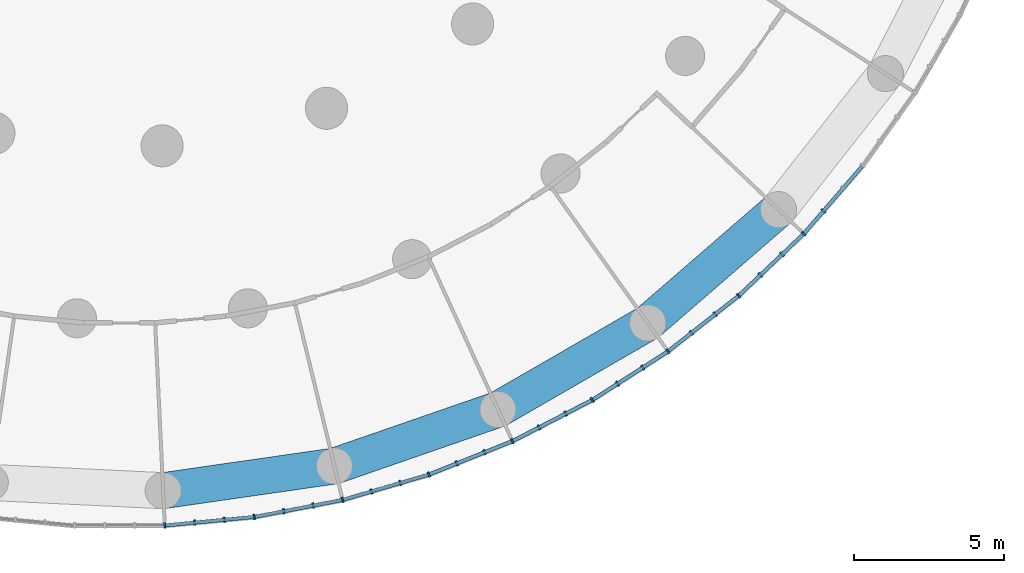
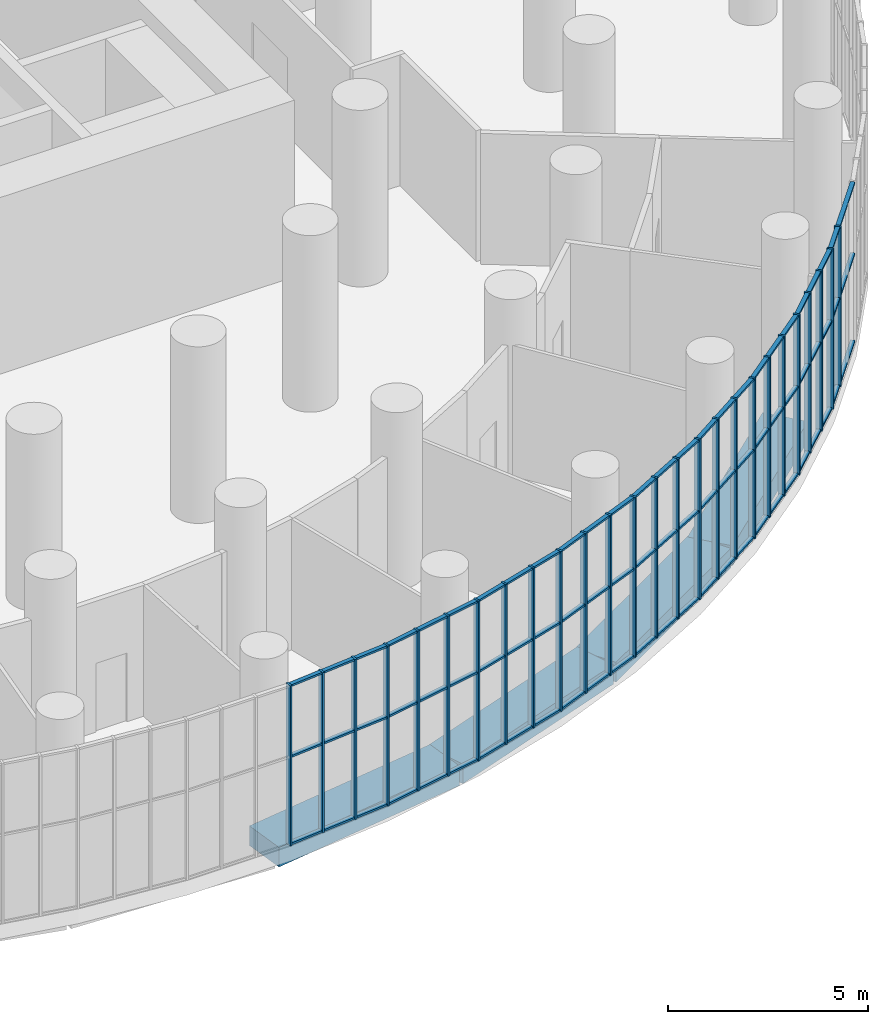
# One storey, part 5 of 27: 53 members, 4 beams, 9 elements without a shape of their own.
"""IFC4 building model written with IfcOpenShell, lengths in metres."""

import ifcopenshell
import ifcopenshell.guid

model = None  # the IFC model being written
_history = None  # IfcOwnerHistory: only IFC2X3 demands one
_inside = {}  # id of a spatial element -> (the spatial element, [elements in it])
_under = {}  # id of a project, library or spatial element -> (it, [spatial elements below it])
_declared = {}  # id of a project -> (the project, [libraries it declares])
_typed = {}  # id of a type object -> (the type object, [elements of that type])
_made_of = {}  # id of a material, layer set ... -> (it, [elements and type objects made of it])


def new_model(schema):
    """Start an empty IFC model of exactly this schema.

    Asked for "IFC4X3", IfcOpenShell would pick the latest addendum, in which some entities
    have other attributes; the version numbers below select the first issue.
    IFC2X3 requires an IfcOwnerHistory on every rooted entity: one is made here for all.
    """
    global model, _history
    if schema == "IFC4X3":
        model = ifcopenshell.file(schema_version=(4, 3, 0, 0))
    else:
        model = ifcopenshell.file(schema=schema)
    _inside.clear()
    _under.clear()
    _declared.clear()
    _typed.clear()
    _made_of.clear()
    _history = None
    if model.schema == "IFC2X3":
        org = make("IfcOrganization", Name="unknown")
        user = make(
            "IfcPersonAndOrganization",
            ThePerson=make("IfcPerson", FamilyName="unknown"),
            TheOrganization=org,
        )
        app = make(
            "IfcApplication",
            ApplicationDeveloper=org,
            Version="unknown",
            ApplicationFullName="unknown",
            ApplicationIdentifier="unknown",
        )
        _history = make(
            "IfcOwnerHistory",
            OwningUser=user,
            OwningApplication=app,
            ChangeAction="ADDED",
            CreationDate=0,
        )
    return model


def make(cls, **values):
    """One entity of the class cls with the attributes given. An attribute that is None is left unset."""
    return model.create_entity(
        cls, **{name: value for name, value in values.items() if value is not None}
    )


def rooted(cls, **values):
    """An entity with a GlobalId (a new one), such as an element, a storey or a relation."""
    return make(cls, GlobalId=ifcopenshell.guid.new(), OwnerHistory=_history, **values)


def si_unit(unit_type, name, prefix=None):
    """IfcSIUnit, for example si_unit("LENGTHUNIT", "METRE", prefix="MILLI")."""
    return make("IfcSIUnit", UnitType=unit_type, Prefix=prefix, Name=name)


def assignment(units):
    """IfcUnitAssignment: the units of a project."""
    return None if units is None else make("IfcUnitAssignment", Units=units)


def point(xyz):
    """IfcCartesianPoint."""
    return None if xyz is None else make("IfcCartesianPoint", Coordinates=xyz)


def direction(xyz):
    """IfcDirection."""
    return None if xyz is None else make("IfcDirection", DirectionRatios=xyz)


def frame(location, z_axis=None, x_axis=None):
    """IfcAxis2Placement3D, a coordinate frame: its origin and axes. An axis left out is left unset."""
    return make(
        "IfcAxis2Placement3D",
        Location=point(location),
        Axis=direction(z_axis),
        RefDirection=direction(x_axis),
    )


def frame_2d(location, x_axis=None):
    """IfcAxis2Placement2D, a coordinate frame in the plane: its origin and x axis."""
    return make(
        "IfcAxis2Placement2D", Location=point(location), RefDirection=direction(x_axis)
    )


def origin():
    """The frame at (0, 0, 0) with its axes left unset."""
    return frame((0.0, 0.0, 0.0))


def origin_2d():
    """The frame at (0, 0) in the plane with its x axis left unset."""
    return frame_2d((0.0, 0.0))


def place(relative_to, where):
    """IfcLocalPlacement: puts the frame where relative to a parent placement (None: the world)."""
    return make(
        "IfcLocalPlacement", PlacementRelTo=relative_to, RelativePlacement=where
    )


def context(
    kind, dimensions, precision=None, world=None, true_north=None, identifier=None
):
    """IfcGeometricRepresentationContext, for example the 3D "Model" context."""
    return make(
        "IfcGeometricRepresentationContext",
        ContextIdentifier=identifier,
        ContextType=kind,
        CoordinateSpaceDimension=dimensions,
        Precision=precision,
        WorldCoordinateSystem=world,
        TrueNorth=true_north,
    )


def subcontext(parent, identifier, kind, view, scale=None):
    """IfcGeometricRepresentationSubContext, for example "Body" below "Model"."""
    return make(
        "IfcGeometricRepresentationSubContext",
        ContextIdentifier=identifier,
        ContextType=kind,
        ParentContext=parent,
        TargetScale=scale,
        TargetView=view,
    )


def project(units=None, contexts=None):
    """IfcProject with its units and contexts."""
    return rooted(
        "IfcProject",
        Name="project",
        RepresentationContexts=contexts,
        UnitsInContext=assignment(units),
    )


def spatial(cls, under=None, at=None, **own):
    """A site, building, storey or space (cls), placed at a placement, below another one or the project."""
    s = rooted(cls, ObjectPlacement=at, **own)
    if under is not None:
        _under.setdefault(under.id(), (under, []))[1].append(s)
    return s


def profile(cls, at=None, kind="AREA", **sizes):
    """A parametric profile (cls). Its sizes go by their IFC names, for example OverallWidth=200.0."""
    return make(cls, ProfileType=kind, Position=at, **sizes)


def rectangle(**sizes):
    """IfcRectangleProfileDef."""
    return profile("IfcRectangleProfileDef", **sizes)


def extrude(swept, where, along, depth):
    """IfcExtrudedAreaSolid: the profile swept, set in the frame where, extruded along a direction by depth."""
    return make(
        "IfcExtrudedAreaSolid",
        SweptArea=swept,
        Position=where,
        ExtrudedDirection=direction(along),
        Depth=depth,
    )


def shape(context_of_items, identifier, shape_type, items):
    """IfcShapeRepresentation: the items that make up one representation, for example the "Body"."""
    return make(
        "IfcShapeRepresentation",
        ContextOfItems=context_of_items,
        RepresentationIdentifier=identifier,
        RepresentationType=shape_type,
        Items=items,
    )


def material(Name=None, Category=None):
    """IfcMaterial."""
    return make("IfcMaterial", Name=Name, Category=Category)


def layer(
    of_material, thickness, ventilated=None, Name=None, Category=None, Priority=None
):
    """IfcMaterialLayer: one layer of a wall or slab, of a material (None: an air gap)."""
    return make(
        "IfcMaterialLayer",
        Material=of_material,
        LayerThickness=thickness,
        IsVentilated=ventilated,
        Name=Name,
        Category=Category,
        Priority=Priority,
    )


def layer_set(layers, Name=None):
    """IfcMaterialLayerSet."""
    return make("IfcMaterialLayerSet", MaterialLayers=layers, LayerSetName=Name)


def material_profile(
    of_material, cross_section, Name=None, Category=None, Priority=None
):
    """IfcMaterialProfile: a cross section and its material."""
    return make(
        "IfcMaterialProfile",
        Name=Name,
        Material=of_material,
        Profile=cross_section,
        Priority=Priority,
        Category=Category,
    )


def profile_set(profiles, Name=None, composite=None):
    """IfcMaterialProfileSet."""
    return make(
        "IfcMaterialProfileSet",
        Name=Name,
        MaterialProfiles=profiles,
        CompositeProfile=composite,
    )


def made_of(thing, what):
    """Note that an element or type object is made of a material, layer set ...; save() writes the relation."""
    if what is not None:
        _made_of.setdefault(what.id(), (what, []))[1].append(thing)
    return thing


def type_object(cls, material=None, **own):
    """A type object (cls), such as IfcWallType, which elements share."""
    return made_of(rooted(cls, **own), material)


def element(
    cls,
    number,
    at=None,
    inside=None,
    cuts=None,
    type_object=None,
    material=None,
    context=None,
    identifier="Body",
    shape_type=None,
    held_by="IfcProductDefinitionShape",
    body=None,
    shapes=None,
    **own,
):
    """One element of the class cls, such as IfcWall. Its Tag is "e" and its number.

    at: its placement. inside: the storey or other place that contains it. cuts: it is an
    opening in that element (IfcRelVoidsElement). A single representation is given by context,
    identifier, shape_type and body (its items); several are given by shapes. held_by: the class
    of the entity that holds the representations. save() writes the other relations.
    """
    e = rooted(cls, Tag="e%d" % number, ObjectPlacement=at, **own)
    if body is not None:
        shapes = [shape(context, identifier, shape_type, body)]
    if shapes is not None:
        e.Representation = make(held_by, Representations=shapes)
    if inside is not None:
        _inside.setdefault(inside.id(), (inside, []))[1].append(e)
    if cuts is not None:
        rooted(
            "IfcRelVoidsElement", RelatingBuildingElement=cuts, RelatedOpeningElement=e
        )
    if type_object is not None:
        _typed.setdefault(type_object.id(), (type_object, []))[1].append(e)
    return made_of(e, material)


def aggregate(whole, parts):
    """IfcRelAggregates: a whole, such as a stair, and the parts it consists of."""
    return rooted("IfcRelAggregates", RelatingObject=whole, RelatedObjects=parts)


def save(model, path):
    """Write the relations noted so far, then the file.

    IfcRelAggregates (storeys below a building ...), IfcRelContainedInSpatialStructure (elements
    in a storey), IfcRelDefinesByType, IfcRelAssociatesMaterial and IfcRelDeclares: one each for
    every whole, place, type object, material and project.
    """
    for whole, parts in _under.values():
        aggregate(whole, parts)
    for where, things in _inside.values():
        rooted(
            "IfcRelContainedInSpatialStructure",
            RelatedElements=things,
            RelatingStructure=where,
        )
    for kind, things in _typed.values():
        rooted("IfcRelDefinesByType", RelatedObjects=things, RelatingType=kind)
    for what, things in _made_of.values():
        rooted("IfcRelAssociatesMaterial", RelatedObjects=things, RelatingMaterial=what)
    for by, libraries in _declared.values():
        rooted("IfcRelDeclares", RelatingContext=by, RelatedDefinitions=libraries)
    model.write(path)


model = new_model("IFC4")

# Units and contexts
model_context = context("Model", 3, precision=1e-05, world=origin(), true_north=direction((0.0, 1.0)))
body_context = subcontext(model_context, "Body", "Model", "MODEL_VIEW")
ifc_project = project(units=[si_unit("LENGTHUNIT", "METRE"), si_unit("AREAUNIT", "SQUARE_METRE"), si_unit("VOLUMEUNIT", "CUBIC_METRE"), si_unit("PLANEANGLEUNIT", "RADIAN"), si_unit("MASSUNIT", "GRAM", prefix="KILO")], contexts=[model_context])

# Site, building, storey
site_placement = place(None, origin())
site = spatial("IfcSite", under=ifc_project, at=site_placement, CompositionType="ELEMENT")
building_placement = place(site_placement, origin())
building = spatial("IfcBuilding", under=site, at=building_placement, Name="Tracery Tower", CompositionType="ELEMENT")
storey_placement = place(building_placement, frame((0.0, 0.0, 114.60009765625)))
storey = spatial("IfcBuildingStorey", under=building, at=storey_placement, Name="L29", CompositionType="ELEMENT", Elevation=114.60009765625)

# Beams
ifc_material_1 = material(Name="Concrete C60/75", Category="concrete")
ifc_material_profile_1 = material_profile(ifc_material_1, rectangle(XDim=1.199951171875, YDim=0.60009765625, at=origin_2d()), Name="RC 1200x600")
ifc_profile_set_1 = profile_set([ifc_material_profile_1], Name="Concrete C60/75")
beam_type = type_object("IfcBeamType", Name="Perimeter band beam 1200x600", PredefinedType="BEAM", material=ifc_profile_set_1)
beam_1_placement = place(storey_placement, frame((1.4404296875, -30.240234375, -0.75), z_axis=(0.989821839174, 0.142312075013, 0.0), x_axis=(-0.142312075013, 0.989821839174, 0.0)))
element("IfcBeam", 1, at=beam_1_placement, inside=storey, type_object=beam_type, Name="Perimeter beam 0.25 under L29", PredefinedType="BEAM", context=body_context, shape_type="SweptSolid", body=[
    extrude(rectangle(XDim=1.199951171875, YDim=0.60009765625, at=origin_2d()), origin(), (0.0, 0.0, 1.0), 5.755615234375),
])
beam_2_placement = place(storey_placement, frame((7.137451171875, -29.421142578125, -0.75), z_axis=(0.945007252869, 0.327049372458, 0.0), x_axis=(-0.327049372458, 0.945007252869, 0.0)))
element("IfcBeam", 2, at=beam_2_placement, inside=storey, type_object=beam_type, Name="Perimeter beam 0.26 under L29", PredefinedType="BEAM", context=body_context, shape_type="SweptSolid", body=[
    extrude(rectangle(XDim=1.199951171875, YDim=0.60009765625, at=origin_2d()), origin(), (0.0, 0.0, 1.0), 5.75537109375),
])
beam_3_placement = place(storey_placement, frame((12.576416015625, -27.538818359375, -0.75), z_axis=(0.866021003874, 0.50000762079, 0.0), x_axis=(-0.50000762079, 0.866021003874, 0.0)))
element("IfcBeam", 3, at=beam_3_placement, inside=storey, type_object=beam_type, Name="Perimeter beam 0.27 under L29", PredefinedType="BEAM", context=body_context, shape_type="SweptSolid", body=[
    extrude(rectangle(XDim=1.199951171875, YDim=0.60009765625, at=origin_2d()), origin(), (0.0, 0.0, 1.0), 5.755859375),
])
beam_4_placement = place(storey_placement, frame((17.56103515625, -24.660888671875, -0.75), z_axis=(0.755760456715, 0.65484817482, 0.0), x_axis=(-0.65484817482, 0.755760456715, 0.0)))
element("IfcBeam", 4, at=beam_4_placement, inside=storey, type_object=beam_type, Name="Perimeter beam 0.28 under L29", PredefinedType="BEAM", context=body_context, shape_type="SweptSolid", body=[
    extrude(rectangle(XDim=1.199951171875, YDim=0.60009765625, at=origin_2d()), origin(), (0.0, 0.0, 1.0), 5.755615234375),
])

# Curtain wall, members
ifc_material_2 = material(Name="Aluminium curtain wall with tinted glass", Category="aluminium")
ifc_layer = layer(ifc_material_2, 0.179931640625)
ifc_layer_set = layer_set([ifc_layer], Name="Sky lounge 1 tracery curtain wall")
curtain_wall_type = type_object("IfcCurtainWallType", Name="Sky lounge 1 tracery curtain wall", PredefinedType="NOTDEFINED", material=ifc_layer_set)
curtain_wall_1_placement = place(storey_placement, origin())
curtain_wall_1 = element("IfcCurtainWall", 5, at=curtain_wall_1_placement, inside=storey, type_object=curtain_wall_type, Name="Sky lounge 1 curtain wall run 51", PredefinedType="NOTDEFINED")
ifc_material_3 = material(Name="Aluminium, bronze anodised", Category="aluminium")
ifc_material_profile_2 = material_profile(ifc_material_3, rectangle(XDim=0.179931640625, YDim=0.06005859375, at=origin_2d()), Name="AL 60x180")
ifc_profile_set_2 = profile_set([ifc_material_profile_2], Name="Aluminium, bronze anodised")
member_type_1 = type_object("IfcMemberType", Name="Sky lounge 1 mullion 60 x 180", PredefinedType="MULLION", material=ifc_profile_set_2)
member_1_placement = place(storey_placement, frame((1.49560546875, -31.39892578125, 0.0), z_axis=(0.0, 0.0, 1.0), x_axis=(-0.095056043312, 0.995471922572, 0.0)))
member_1 = element("IfcMember", 6, at=member_1_placement, type_object=member_type_1, Name="Sky lounge 1 curtain wall run 51 mullion 1", PredefinedType="MULLION", context=body_context, shape_type="SweptSolid", body=[
    extrude(rectangle(XDim=0.179931640625, YDim=0.06005859375, at=origin_2d()), origin(), (0.0, 0.0, 1.0), 4.89990234375),
])
member_2_placement = place(storey_placement, frame((2.48828125, -31.30419921875, 0.0), z_axis=(0.0, 0.0, 1.0), x_axis=(-0.095056043312, 0.995471922572, 0.0)))
member_2 = element("IfcMember", 7, at=member_2_placement, type_object=member_type_1, Name="Sky lounge 1 curtain wall run 51 mullion 2", PredefinedType="MULLION", context=body_context, shape_type="SweptSolid", body=[
    extrude(rectangle(XDim=0.179931640625, YDim=0.06005859375, at=origin_2d()), origin(), (0.0, 0.0, 1.0), 4.89990234375),
])
member_3_placement = place(storey_placement, frame((3.48095703125, -31.209228515625, 0.0), z_axis=(0.0, 0.0, 1.0), x_axis=(-0.095056043312, 0.995471922572, 0.0)))
member_3 = element("IfcMember", 8, at=member_3_placement, type_object=member_type_1, Name="Sky lounge 1 curtain wall run 51 mullion 3", PredefinedType="MULLION", context=body_context, shape_type="SweptSolid", body=[
    extrude(rectangle(XDim=0.179931640625, YDim=0.06005859375, at=origin_2d()), origin(), (0.0, 0.0, 1.0), 4.89990234375),
])

curtain_wall_2_placement = place(storey_placement, origin())
curtain_wall_2 = element("IfcCurtainWall", 9, at=curtain_wall_2_placement, inside=storey, type_object=curtain_wall_type, Name="Sky lounge 1 curtain wall run 52", PredefinedType="NOTDEFINED")
member_4_placement = place(storey_placement, frame((4.4736328125, -31.114501953125, 0.0), z_axis=(0.0, 0.0, 1.0), x_axis=(-0.189251244359, 0.981928697263, 0.0)))
member_4 = element("IfcMember", 10, at=member_4_placement, type_object=member_type_1, Name="Sky lounge 1 curtain wall run 52 mullion 1", PredefinedType="MULLION", context=body_context, shape_type="SweptSolid", body=[
    extrude(rectangle(XDim=0.179931640625, YDim=0.06005859375, at=origin_2d()), origin(), (0.0, 0.0, 1.0), 4.89990234375),
])
member_5_placement = place(storey_placement, frame((5.45263671875, -30.92578125, 0.0), z_axis=(0.0, 0.0, 1.0), x_axis=(-0.189251244359, 0.981928697263, 0.0)))
member_5 = element("IfcMember", 11, at=member_5_placement, type_object=member_type_1, Name="Sky lounge 1 curtain wall run 52 mullion 2", PredefinedType="MULLION", context=body_context, shape_type="SweptSolid", body=[
    extrude(rectangle(XDim=0.179931640625, YDim=0.06005859375, at=origin_2d()), origin(), (0.0, 0.0, 1.0), 4.89990234375),
])
member_6_placement = place(storey_placement, frame((6.431884765625, -30.737060546875, 0.0), z_axis=(0.0, 0.0, 1.0), x_axis=(-0.189251244359, 0.981928697263, 0.0)))
member_6 = element("IfcMember", 12, at=member_6_placement, type_object=member_type_1, Name="Sky lounge 1 curtain wall run 52 mullion 3", PredefinedType="MULLION", context=body_context, shape_type="SweptSolid", body=[
    extrude(rectangle(XDim=0.179931640625, YDim=0.06005859375, at=origin_2d()), origin(), (0.0, 0.0, 1.0), 4.89990234375),
])

curtain_wall_3_placement = place(storey_placement, origin())
curtain_wall_3 = element("IfcCurtainWall", 13, at=curtain_wall_3_placement, inside=storey, type_object=curtain_wall_type, Name="Sky lounge 1 curtain wall run 53", PredefinedType="NOTDEFINED")
member_7_placement = place(storey_placement, frame((7.410888671875, -30.54833984375, 0.0), z_axis=(0.0, 0.0, 1.0), x_axis=(-0.281732556848, 0.959492973613, 0.0)))
member_7 = element("IfcMember", 14, at=member_7_placement, type_object=member_type_1, Name="Sky lounge 1 curtain wall run 53 mullion 1", PredefinedType="MULLION", context=body_context, shape_type="SweptSolid", body=[
    extrude(rectangle(XDim=0.179931640625, YDim=0.06005859375, at=origin_2d()), origin(), (0.0, 0.0, 1.0), 4.89990234375),
])
member_8_placement = place(storey_placement, frame((8.36767578125, -30.267578125, 0.0), z_axis=(0.0, 0.0, 1.0), x_axis=(-0.281732556848, 0.959492973613, 0.0)))
member_8 = element("IfcMember", 15, at=member_8_placement, type_object=member_type_1, Name="Sky lounge 1 curtain wall run 53 mullion 2", PredefinedType="MULLION", context=body_context, shape_type="SweptSolid", body=[
    extrude(rectangle(XDim=0.179931640625, YDim=0.06005859375, at=origin_2d()), origin(), (0.0, 0.0, 1.0), 4.89990234375),
])
member_9_placement = place(storey_placement, frame((9.324462890625, -29.986572265625, 0.0), z_axis=(0.0, 0.0, 1.0), x_axis=(-0.281732556848, 0.959492973613, 0.0)))
member_9 = element("IfcMember", 16, at=member_9_placement, type_object=member_type_1, Name="Sky lounge 1 curtain wall run 53 mullion 3", PredefinedType="MULLION", context=body_context, shape_type="SweptSolid", body=[
    extrude(rectangle(XDim=0.179931640625, YDim=0.06005859375, at=origin_2d()), origin(), (0.0, 0.0, 1.0), 4.89990234375),
])

curtain_wall_4_placement = place(storey_placement, origin())
curtain_wall_4 = element("IfcCurtainWall", 17, at=curtain_wall_4_placement, inside=storey, type_object=curtain_wall_type, Name="Sky lounge 1 curtain wall run 54", PredefinedType="NOTDEFINED")
member_10_placement = place(storey_placement, frame((10.28125, -29.70556640625, 0.0), z_axis=(0.0, 0.0, 1.0), x_axis=(-0.371662455657, 0.928367933017, 0.0)))
member_10 = element("IfcMember", 18, at=member_10_placement, type_object=member_type_1, Name="Sky lounge 1 curtain wall run 54 mullion 1", PredefinedType="MULLION", context=body_context, shape_type="SweptSolid", body=[
    extrude(rectangle(XDim=0.179931640625, YDim=0.06005859375, at=origin_2d()), origin(), (0.0, 0.0, 1.0), 4.89990234375),
])
member_11_placement = place(storey_placement, frame((11.20703125, -29.3349609375, 0.0), z_axis=(0.0, 0.0, 1.0), x_axis=(-0.371662455657, 0.928367933017, 0.0)))
member_11 = element("IfcMember", 19, at=member_11_placement, type_object=member_type_1, Name="Sky lounge 1 curtain wall run 54 mullion 2", PredefinedType="MULLION", context=body_context, shape_type="SweptSolid", body=[
    extrude(rectangle(XDim=0.179931640625, YDim=0.06005859375, at=origin_2d()), origin(), (0.0, 0.0, 1.0), 4.89990234375),
])
member_12_placement = place(storey_placement, frame((12.132568359375, -28.96435546875, 0.0), z_axis=(0.0, 0.0, 1.0), x_axis=(-0.371662455657, 0.928367933017, 0.0)))
member_12 = element("IfcMember", 20, at=member_12_placement, type_object=member_type_1, Name="Sky lounge 1 curtain wall run 54 mullion 3", PredefinedType="MULLION", context=body_context, shape_type="SweptSolid", body=[
    extrude(rectangle(XDim=0.179931640625, YDim=0.06005859375, at=origin_2d()), origin(), (0.0, 0.0, 1.0), 4.89990234375),
])

curtain_wall_5_placement = place(storey_placement, origin())
curtain_wall_5 = element("IfcCurtainWall", 21, at=curtain_wall_5_placement, inside=storey, type_object=curtain_wall_type, Name="Sky lounge 1 curtain wall run 55", PredefinedType="NOTDEFINED")
member_13_placement = place(storey_placement, frame((13.058349609375, -28.59375, 0.0), z_axis=(0.0, 0.0, 1.0), x_axis=(-0.458226521732, 0.888835448653, 0.0)))
member_13 = element("IfcMember", 22, at=member_13_placement, type_object=member_type_1, Name="Sky lounge 1 curtain wall run 55 mullion 1", PredefinedType="MULLION", context=body_context, shape_type="SweptSolid", body=[
    extrude(rectangle(XDim=0.179931640625, YDim=0.06005859375, at=origin_2d()), origin(), (0.0, 0.0, 1.0), 4.89990234375),
])
member_14_placement = place(storey_placement, frame((13.944580078125, -28.136962890625, 0.0), z_axis=(0.0, 0.0, 1.0), x_axis=(-0.458226521732, 0.888835448653, 0.0)))
member_14 = element("IfcMember", 23, at=member_14_placement, type_object=member_type_1, Name="Sky lounge 1 curtain wall run 55 mullion 2", PredefinedType="MULLION", context=body_context, shape_type="SweptSolid", body=[
    extrude(rectangle(XDim=0.179931640625, YDim=0.06005859375, at=origin_2d()), origin(), (0.0, 0.0, 1.0), 4.89990234375),
])
member_15_placement = place(storey_placement, frame((14.8310546875, -27.679931640625, 0.0), z_axis=(0.0, 0.0, 1.0), x_axis=(-0.458226521732, 0.888835448653, 0.0)))
member_15 = element("IfcMember", 24, at=member_15_placement, type_object=member_type_1, Name="Sky lounge 1 curtain wall run 55 mullion 3", PredefinedType="MULLION", context=body_context, shape_type="SweptSolid", body=[
    extrude(rectangle(XDim=0.179931640625, YDim=0.06005859375, at=origin_2d()), origin(), (0.0, 0.0, 1.0), 4.89990234375),
])

curtain_wall_6_placement = place(storey_placement, origin())
curtain_wall_6 = element("IfcCurtainWall", 25, at=curtain_wall_6_placement, inside=storey, type_object=curtain_wall_type, Name="Sky lounge 1 curtain wall run 56", PredefinedType="NOTDEFINED")
member_16_placement = place(storey_placement, frame((15.71728515625, -27.22314453125, 0.0), z_axis=(0.0, 0.0, 1.0), x_axis=(-0.540640817452, 0.841253532834, 0.0)))
member_16 = element("IfcMember", 26, at=member_16_placement, type_object=member_type_1, Name="Sky lounge 1 curtain wall run 56 mullion 1", PredefinedType="MULLION", context=body_context, shape_type="SweptSolid", body=[
    extrude(rectangle(XDim=0.179931640625, YDim=0.06005859375, at=origin_2d()), origin(), (0.0, 0.0, 1.0), 4.89990234375),
])
member_17_placement = place(storey_placement, frame((16.55615234375, -26.68408203125, 0.0), z_axis=(0.0, 0.0, 1.0), x_axis=(-0.540640817452, 0.841253532834, 0.0)))
member_17 = element("IfcMember", 27, at=member_17_placement, type_object=member_type_1, Name="Sky lounge 1 curtain wall run 56 mullion 2", PredefinedType="MULLION", context=body_context, shape_type="SweptSolid", body=[
    extrude(rectangle(XDim=0.179931640625, YDim=0.06005859375, at=origin_2d()), origin(), (0.0, 0.0, 1.0), 4.89990234375),
])
member_18_placement = place(storey_placement, frame((17.39501953125, -26.144775390625, 0.0), z_axis=(0.0, 0.0, 1.0), x_axis=(-0.540640817452, 0.841253532834, 0.0)))
member_18 = element("IfcMember", 28, at=member_18_placement, type_object=member_type_1, Name="Sky lounge 1 curtain wall run 56 mullion 3", PredefinedType="MULLION", context=body_context, shape_type="SweptSolid", body=[
    extrude(rectangle(XDim=0.179931640625, YDim=0.06005859375, at=origin_2d()), origin(), (0.0, 0.0, 1.0), 4.89990234375),
])

curtain_wall_7_placement = place(storey_placement, origin())
curtain_wall_7 = element("IfcCurtainWall", 29, at=curtain_wall_7_placement, inside=storey, type_object=curtain_wall_type, Name="Sky lounge 1 curtain wall run 57", PredefinedType="NOTDEFINED")
member_19_placement = place(storey_placement, frame((18.23388671875, -25.605712890625, 0.0), z_axis=(0.0, 0.0, 1.0), x_axis=(-0.618158986223, 0.786053094741, 0.0)))
member_19 = element("IfcMember", 30, at=member_19_placement, type_object=member_type_1, Name="Sky lounge 1 curtain wall run 57 mullion 1", PredefinedType="MULLION", context=body_context, shape_type="SweptSolid", body=[
    extrude(rectangle(XDim=0.179931640625, YDim=0.06005859375, at=origin_2d()), origin(), (0.0, 0.0, 1.0), 4.89990234375),
])
member_20_placement = place(storey_placement, frame((19.017578125, -24.989501953125, 0.0), z_axis=(0.0, 0.0, 1.0), x_axis=(-0.618158986223, 0.786053094741, 0.0)))
member_20 = element("IfcMember", 31, at=member_20_placement, type_object=member_type_1, Name="Sky lounge 1 curtain wall run 57 mullion 2", PredefinedType="MULLION", context=body_context, shape_type="SweptSolid", body=[
    extrude(rectangle(XDim=0.179931640625, YDim=0.06005859375, at=origin_2d()), origin(), (0.0, 0.0, 1.0), 4.89990234375),
])
member_21_placement = place(storey_placement, frame((19.801513671875, -24.373046875, 0.0), z_axis=(0.0, 0.0, 1.0), x_axis=(-0.618158986223, 0.786053094741, 0.0)))
member_21 = element("IfcMember", 32, at=member_21_placement, type_object=member_type_1, Name="Sky lounge 1 curtain wall run 57 mullion 3", PredefinedType="MULLION", context=body_context, shape_type="SweptSolid", body=[
    extrude(rectangle(XDim=0.179931640625, YDim=0.06005859375, at=origin_2d()), origin(), (0.0, 0.0, 1.0), 4.89990234375),
])

curtain_wall_8_placement = place(storey_placement, origin())
curtain_wall_8 = element("IfcCurtainWall", 33, at=curtain_wall_8_placement, inside=storey, type_object=curtain_wall_type, Name="Sky lounge 1 curtain wall run 58", PredefinedType="NOTDEFINED")
member_22_placement = place(storey_placement, frame((20.585205078125, -23.756591796875, 0.0), z_axis=(0.0, 0.0, 1.0), x_axis=(-0.690079011478, 0.723734038109, 0.0)))
member_22 = element("IfcMember", 34, at=member_22_placement, type_object=member_type_1, Name="Sky lounge 1 curtain wall run 58 mullion 1", PredefinedType="MULLION", context=body_context, shape_type="SweptSolid", body=[
    extrude(rectangle(XDim=0.179931640625, YDim=0.06005859375, at=origin_2d()), origin(), (0.0, 0.0, 1.0), 4.89990234375),
])
member_23_placement = place(storey_placement, frame((21.306884765625, -23.068603515625, 0.0), z_axis=(0.0, 0.0, 1.0), x_axis=(-0.690079011478, 0.723734038109, 0.0)))
member_23 = element("IfcMember", 35, at=member_23_placement, type_object=member_type_1, Name="Sky lounge 1 curtain wall run 58 mullion 2", PredefinedType="MULLION", context=body_context, shape_type="SweptSolid", body=[
    extrude(rectangle(XDim=0.179931640625, YDim=0.06005859375, at=origin_2d()), origin(), (0.0, 0.0, 1.0), 4.89990234375),
])
member_24_placement = place(storey_placement, frame((22.028564453125, -22.38037109375, 0.0), z_axis=(0.0, 0.0, 1.0), x_axis=(-0.690079011478, 0.723734038109, 0.0)))
member_24 = element("IfcMember", 36, at=member_24_placement, type_object=member_type_1, Name="Sky lounge 1 curtain wall run 58 mullion 3", PredefinedType="MULLION", context=body_context, shape_type="SweptSolid", body=[
    extrude(rectangle(XDim=0.179931640625, YDim=0.06005859375, at=origin_2d()), origin(), (0.0, 0.0, 1.0), 4.89990234375),
])

curtain_wall_9_placement = place(storey_placement, origin())
curtain_wall_9 = element("IfcCurtainWall", 37, at=curtain_wall_9_placement, inside=storey, type_object=curtain_wall_type, Name="Sky lounge 1 curtain wall run 59", PredefinedType="NOTDEFINED")
member_25_placement = place(storey_placement, frame((22.750244140625, -21.6923828125, 0.0), z_axis=(0.0, 0.0, 1.0), x_axis=(-0.755749574355, 0.654860733944, 0.0)))
member_25 = element("IfcMember", 38, at=member_25_placement, type_object=member_type_1, Name="Sky lounge 1 curtain wall run 59 mullion 1", PredefinedType="MULLION", context=body_context, shape_type="SweptSolid", body=[
    extrude(rectangle(XDim=0.179931640625, YDim=0.06005859375, at=origin_2d()), origin(), (0.0, 0.0, 1.0), 4.89990234375),
])
member_26_placement = place(storey_placement, frame((23.4033203125, -20.938720703125, 0.0), z_axis=(0.0, 0.0, 1.0), x_axis=(-0.755749574355, 0.654860733944, 0.0)))
member_26 = element("IfcMember", 39, at=member_26_placement, type_object=member_type_1, Name="Sky lounge 1 curtain wall run 59 mullion 2", PredefinedType="MULLION", context=body_context, shape_type="SweptSolid", body=[
    extrude(rectangle(XDim=0.179931640625, YDim=0.06005859375, at=origin_2d()), origin(), (0.0, 0.0, 1.0), 4.89990234375),
])

# Member
ifc_material_4 = material(Name="Aluminium, bronze anodised", Category="aluminium")
ifc_material_profile_3 = material_profile(ifc_material_4, rectangle(XDim=0.1201171875, YDim=0.06005859375, at=origin_2d()), Name="AL 60x120")
ifc_profile_set_3 = profile_set([ifc_material_profile_3], Name="Aluminium, bronze anodised")
member_type_2 = type_object("IfcMemberType", Name="Sky lounge 1 transom 60 x 120", PredefinedType="USERDEFINED", material=ifc_profile_set_3)
member_27_placement = place(storey_placement, frame((1.525634765625, -31.39599609375, 0.02978515625), z_axis=(0.995474862458, 0.095025250403, 0.0), x_axis=(-0.095025250403, 0.995474862458, 0.0)))
member_27 = element("IfcMember", 40, at=member_27_placement, type_object=member_type_2, Name="Sky lounge 1 curtain wall run 51 transom 1", ObjectType="TRANSOM", PredefinedType="USERDEFINED", context=body_context, shape_type="SweptSolid", body=[
    extrude(rectangle(XDim=0.1201171875, YDim=0.06005859375, at=origin_2d()), origin(), (0.0, 0.0, 1.0), 2.931396484375),
])

member_28_placement = place(storey_placement, frame((1.525634765625, -31.39599609375, 2.699951171875), z_axis=(0.995474862458, 0.095025250403, 0.0), x_axis=(-0.095025250403, 0.995474862458, 0.0)))
member_28 = element("IfcMember", 41, at=member_28_placement, type_object=member_type_2, Name="Sky lounge 1 curtain wall run 51 transom 2", ObjectType="TRANSOM", PredefinedType="USERDEFINED", context=body_context, shape_type="SweptSolid", body=[
    extrude(rectangle(XDim=0.1201171875, YDim=0.06005859375, at=origin_2d()), origin(), (0.0, 0.0, 1.0), 2.931396484375),
])

member_29_placement = place(storey_placement, frame((1.525634765625, -31.39599609375, 4.869873046875), z_axis=(0.995474862458, 0.095025250403, 0.0), x_axis=(-0.095025250403, 0.995474862458, 0.0)))
member_29 = element("IfcMember", 42, at=member_29_placement, type_object=member_type_2, Name="Sky lounge 1 curtain wall run 51 transom 3", ObjectType="TRANSOM", PredefinedType="USERDEFINED", context=body_context, shape_type="SweptSolid", body=[
    extrude(rectangle(XDim=0.1201171875, YDim=0.06005859375, at=origin_2d()), origin(), (0.0, 0.0, 1.0), 2.931396484375),
])

aggregate(curtain_wall_1, [member_1, member_2, member_3, member_27, member_28, member_29])

member_30_placement = place(storey_placement, frame((4.503173828125, -31.10888671875, 0.02978515625), z_axis=(0.981933900995, 0.189224242838, 0.0), x_axis=(-0.189224242838, 0.981933900995, 0.0)))
member_30 = element("IfcMember", 43, at=member_30_placement, type_object=member_type_2, Name="Sky lounge 1 curtain wall run 52 transom 1", ObjectType="TRANSOM", PredefinedType="USERDEFINED", context=body_context, shape_type="SweptSolid", body=[
    extrude(rectangle(XDim=0.1201171875, YDim=0.06005859375, at=origin_2d()), origin(), (0.0, 0.0, 1.0), 2.931396484375),
])

member_31_placement = place(storey_placement, frame((4.503173828125, -31.10888671875, 2.699951171875), z_axis=(0.981933900995, 0.189224242838, 0.0), x_axis=(-0.189224242838, 0.981933900995, 0.0)))
member_31 = element("IfcMember", 44, at=member_31_placement, type_object=member_type_2, Name="Sky lounge 1 curtain wall run 52 transom 2", ObjectType="TRANSOM", PredefinedType="USERDEFINED", context=body_context, shape_type="SweptSolid", body=[
    extrude(rectangle(XDim=0.1201171875, YDim=0.06005859375, at=origin_2d()), origin(), (0.0, 0.0, 1.0), 2.931396484375),
])

member_32_placement = place(storey_placement, frame((4.503173828125, -31.10888671875, 4.869873046875), z_axis=(0.981933900995, 0.189224242838, 0.0), x_axis=(-0.189224242838, 0.981933900995, 0.0)))
member_32 = element("IfcMember", 45, at=member_32_placement, type_object=member_type_2, Name="Sky lounge 1 curtain wall run 52 transom 3", ObjectType="TRANSOM", PredefinedType="USERDEFINED", context=body_context, shape_type="SweptSolid", body=[
    extrude(rectangle(XDim=0.1201171875, YDim=0.06005859375, at=origin_2d()), origin(), (0.0, 0.0, 1.0), 2.931396484375),
])

aggregate(curtain_wall_2, [member_4, member_5, member_6, member_30, member_31, member_32])

member_33_placement = place(storey_placement, frame((7.439697265625, -30.5400390625, 0.02978515625), z_axis=(0.959490065478, 0.281742460855, 0.0), x_axis=(-0.281742460855, 0.959490065478, 0.0)))
member_33 = element("IfcMember", 46, at=member_33_placement, type_object=member_type_2, Name="Sky lounge 1 curtain wall run 53 transom 1", ObjectType="TRANSOM", PredefinedType="USERDEFINED", context=body_context, shape_type="SweptSolid", body=[
    extrude(rectangle(XDim=0.1201171875, YDim=0.06005859375, at=origin_2d()), origin(), (0.0, 0.0, 1.0), 2.931396484375),
])

member_34_placement = place(storey_placement, frame((7.439697265625, -30.5400390625, 2.699951171875), z_axis=(0.959490065478, 0.281742460855, 0.0), x_axis=(-0.281742460855, 0.959490065478, 0.0)))
member_34 = element("IfcMember", 47, at=member_34_placement, type_object=member_type_2, Name="Sky lounge 1 curtain wall run 53 transom 2", ObjectType="TRANSOM", PredefinedType="USERDEFINED", context=body_context, shape_type="SweptSolid", body=[
    extrude(rectangle(XDim=0.1201171875, YDim=0.06005859375, at=origin_2d()), origin(), (0.0, 0.0, 1.0), 2.931396484375),
])

member_35_placement = place(storey_placement, frame((7.439697265625, -30.5400390625, 4.869873046875), z_axis=(0.959490065478, 0.281742460855, 0.0), x_axis=(-0.281742460855, 0.959490065478, 0.0)))
member_35 = element("IfcMember", 48, at=member_35_placement, type_object=member_type_2, Name="Sky lounge 1 curtain wall run 53 transom 3", ObjectType="TRANSOM", PredefinedType="USERDEFINED", context=body_context, shape_type="SweptSolid", body=[
    extrude(rectangle(XDim=0.1201171875, YDim=0.06005859375, at=origin_2d()), origin(), (0.0, 0.0, 1.0), 2.931396484375),
])

aggregate(curtain_wall_3, [member_7, member_8, member_9, member_33, member_34, member_35])

member_36_placement = place(storey_placement, frame((10.30908203125, -29.694580078125, 0.02978515625), z_axis=(0.928356025106, 0.371692198802, 0.0), x_axis=(-0.371692198802, 0.928356025106, 0.0)))
member_36 = element("IfcMember", 49, at=member_36_placement, type_object=member_type_2, Name="Sky lounge 1 curtain wall run 54 transom 1", ObjectType="TRANSOM", PredefinedType="USERDEFINED", context=body_context, shape_type="SweptSolid", body=[
    extrude(rectangle(XDim=0.1201171875, YDim=0.06005859375, at=origin_2d()), origin(), (0.0, 0.0, 1.0), 2.931396484375),
])

member_37_placement = place(storey_placement, frame((10.30908203125, -29.694580078125, 2.699951171875), z_axis=(0.928356025106, 0.371692198802, 0.0), x_axis=(-0.371692198802, 0.928356025106, 0.0)))
member_37 = element("IfcMember", 50, at=member_37_placement, type_object=member_type_2, Name="Sky lounge 1 curtain wall run 54 transom 2", ObjectType="TRANSOM", PredefinedType="USERDEFINED", context=body_context, shape_type="SweptSolid", body=[
    extrude(rectangle(XDim=0.1201171875, YDim=0.06005859375, at=origin_2d()), origin(), (0.0, 0.0, 1.0), 2.931396484375),
])

member_38_placement = place(storey_placement, frame((10.30908203125, -29.694580078125, 4.869873046875), z_axis=(0.928356025106, 0.371692198802, 0.0), x_axis=(-0.371692198802, 0.928356025106, 0.0)))
member_38 = element("IfcMember", 51, at=member_38_placement, type_object=member_type_2, Name="Sky lounge 1 curtain wall run 54 transom 3", ObjectType="TRANSOM", PredefinedType="USERDEFINED", context=body_context, shape_type="SweptSolid", body=[
    extrude(rectangle(XDim=0.1201171875, YDim=0.06005859375, at=origin_2d()), origin(), (0.0, 0.0, 1.0), 2.931396484375),
])

aggregate(curtain_wall_4, [member_10, member_11, member_12, member_36, member_37, member_38])

member_39_placement = place(storey_placement, frame((13.0849609375, -28.580078125, 0.02978515625), z_axis=(0.888846096412, 0.458205867372, 0.0), x_axis=(-0.458205867372, 0.888846096412, 0.0)))
member_39 = element("IfcMember", 52, at=member_39_placement, type_object=member_type_2, Name="Sky lounge 1 curtain wall run 55 transom 1", ObjectType="TRANSOM", PredefinedType="USERDEFINED", context=body_context, shape_type="SweptSolid", body=[
    extrude(rectangle(XDim=0.1201171875, YDim=0.06005859375, at=origin_2d()), origin(), (0.0, 0.0, 1.0), 2.931640625),
])

member_40_placement = place(storey_placement, frame((13.0849609375, -28.580078125, 2.699951171875), z_axis=(0.888846096412, 0.458205867372, 0.0), x_axis=(-0.458205867372, 0.888846096412, 0.0)))
member_40 = element("IfcMember", 53, at=member_40_placement, type_object=member_type_2, Name="Sky lounge 1 curtain wall run 55 transom 2", ObjectType="TRANSOM", PredefinedType="USERDEFINED", context=body_context, shape_type="SweptSolid", body=[
    extrude(rectangle(XDim=0.1201171875, YDim=0.06005859375, at=origin_2d()), origin(), (0.0, 0.0, 1.0), 2.931640625),
])

member_41_placement = place(storey_placement, frame((13.0849609375, -28.580078125, 4.869873046875), z_axis=(0.888846096412, 0.458205867372, 0.0), x_axis=(-0.458205867372, 0.888846096412, 0.0)))
member_41 = element("IfcMember", 54, at=member_41_placement, type_object=member_type_2, Name="Sky lounge 1 curtain wall run 55 transom 3", ObjectType="TRANSOM", PredefinedType="USERDEFINED", context=body_context, shape_type="SweptSolid", body=[
    extrude(rectangle(XDim=0.1201171875, YDim=0.06005859375, at=origin_2d()), origin(), (0.0, 0.0, 1.0), 2.931640625),
])

aggregate(curtain_wall_5, [member_13, member_14, member_15, member_39, member_40, member_41])

member_42_placement = place(storey_placement, frame((15.742431640625, -27.206787109375, 0.02978515625), z_axis=(0.841273174136, 0.540610253768, 0.0), x_axis=(-0.540610253768, 0.841273174136, 0.0)))
member_42 = element("IfcMember", 55, at=member_42_placement, type_object=member_type_2, Name="Sky lounge 1 curtain wall run 56 transom 1", ObjectType="TRANSOM", PredefinedType="USERDEFINED", context=body_context, shape_type="SweptSolid", body=[
    extrude(rectangle(XDim=0.1201171875, YDim=0.06005859375, at=origin_2d()), origin(), (0.0, 0.0, 1.0), 2.931396484375),
])

member_43_placement = place(storey_placement, frame((15.742431640625, -27.206787109375, 2.699951171875), z_axis=(0.841273174136, 0.540610253768, 0.0), x_axis=(-0.540610253768, 0.841273174136, 0.0)))
member_43 = element("IfcMember", 56, at=member_43_placement, type_object=member_type_2, Name="Sky lounge 1 curtain wall run 56 transom 2", ObjectType="TRANSOM", PredefinedType="USERDEFINED", context=body_context, shape_type="SweptSolid", body=[
    extrude(rectangle(XDim=0.1201171875, YDim=0.06005859375, at=origin_2d()), origin(), (0.0, 0.0, 1.0), 2.931396484375),
])

member_44_placement = place(storey_placement, frame((15.742431640625, -27.206787109375, 4.869873046875), z_axis=(0.841273174136, 0.540610253768, 0.0), x_axis=(-0.540610253768, 0.841273174136, 0.0)))
member_44 = element("IfcMember", 57, at=member_44_placement, type_object=member_type_2, Name="Sky lounge 1 curtain wall run 56 transom 3", ObjectType="TRANSOM", PredefinedType="USERDEFINED", context=body_context, shape_type="SweptSolid", body=[
    extrude(rectangle(XDim=0.1201171875, YDim=0.06005859375, at=origin_2d()), origin(), (0.0, 0.0, 1.0), 2.931396484375),
])

aggregate(curtain_wall_6, [member_16, member_17, member_18, member_42, member_43, member_44])

member_45_placement = place(storey_placement, frame((18.25732421875, -25.587158203125, 0.02978515625), z_axis=(0.786058162974, 0.618152541385, 0.0), x_axis=(-0.618152541385, 0.786058162974, 0.0)))
member_45 = element("IfcMember", 58, at=member_45_placement, type_object=member_type_2, Name="Sky lounge 1 curtain wall run 57 transom 1", ObjectType="TRANSOM", PredefinedType="USERDEFINED", context=body_context, shape_type="SweptSolid", body=[
    extrude(rectangle(XDim=0.1201171875, YDim=0.06005859375, at=origin_2d()), origin(), (0.0, 0.0, 1.0), 2.931396484375),
])

member_46_placement = place(storey_placement, frame((18.25732421875, -25.587158203125, 2.699951171875), z_axis=(0.786058162974, 0.618152541385, 0.0), x_axis=(-0.618152541385, 0.786058162974, 0.0)))
member_46 = element("IfcMember", 59, at=member_46_placement, type_object=member_type_2, Name="Sky lounge 1 curtain wall run 57 transom 2", ObjectType="TRANSOM", PredefinedType="USERDEFINED", context=body_context, shape_type="SweptSolid", body=[
    extrude(rectangle(XDim=0.1201171875, YDim=0.06005859375, at=origin_2d()), origin(), (0.0, 0.0, 1.0), 2.931396484375),
])

member_47_placement = place(storey_placement, frame((18.25732421875, -25.587158203125, 4.869873046875), z_axis=(0.786058162974, 0.618152541385, 0.0), x_axis=(-0.618152541385, 0.786058162974, 0.0)))
member_47 = element("IfcMember", 60, at=member_47_placement, type_object=member_type_2, Name="Sky lounge 1 curtain wall run 57 transom 3", ObjectType="TRANSOM", PredefinedType="USERDEFINED", context=body_context, shape_type="SweptSolid", body=[
    extrude(rectangle(XDim=0.1201171875, YDim=0.06005859375, at=origin_2d()), origin(), (0.0, 0.0, 1.0), 2.931396484375),
])

aggregate(curtain_wall_7, [member_19, member_20, member_21, member_45, member_46, member_47])

member_48_placement = place(storey_placement, frame((20.60693359375, -23.73583984375, 0.02978515625), z_axis=(0.723729806438, 0.690083449499, 0.0), x_axis=(-0.690083449499, 0.723729806438, 0.0)))
member_48 = element("IfcMember", 61, at=member_48_placement, type_object=member_type_2, Name="Sky lounge 1 curtain wall run 58 transom 1", ObjectType="TRANSOM", PredefinedType="USERDEFINED", context=body_context, shape_type="SweptSolid", body=[
    extrude(rectangle(XDim=0.1201171875, YDim=0.06005859375, at=origin_2d()), origin(), (0.0, 0.0, 1.0), 2.931396484375),
])

member_49_placement = place(storey_placement, frame((20.60693359375, -23.73583984375, 2.699951171875), z_axis=(0.723729806438, 0.690083449499, 0.0), x_axis=(-0.690083449499, 0.723729806438, 0.0)))
member_49 = element("IfcMember", 62, at=member_49_placement, type_object=member_type_2, Name="Sky lounge 1 curtain wall run 58 transom 2", ObjectType="TRANSOM", PredefinedType="USERDEFINED", context=body_context, shape_type="SweptSolid", body=[
    extrude(rectangle(XDim=0.1201171875, YDim=0.06005859375, at=origin_2d()), origin(), (0.0, 0.0, 1.0), 2.931396484375),
])

member_50_placement = place(storey_placement, frame((20.60693359375, -23.73583984375, 4.869873046875), z_axis=(0.723729806438, 0.690083449499, 0.0), x_axis=(-0.690083449499, 0.723729806438, 0.0)))
member_50 = element("IfcMember", 63, at=member_50_placement, type_object=member_type_2, Name="Sky lounge 1 curtain wall run 58 transom 3", ObjectType="TRANSOM", PredefinedType="USERDEFINED", context=body_context, shape_type="SweptSolid", body=[
    extrude(rectangle(XDim=0.1201171875, YDim=0.06005859375, at=origin_2d()), origin(), (0.0, 0.0, 1.0), 2.931396484375),
])

aggregate(curtain_wall_8, [member_22, member_23, member_24, member_48, member_49, member_50])

member_51_placement = place(storey_placement, frame((22.769775390625, -21.669677734375, 0.02978515625), z_axis=(0.654835415785, 0.755771511923, 0.0), x_axis=(-0.755771511923, 0.654835415785, 0.0)))
member_51 = element("IfcMember", 64, at=member_51_placement, type_object=member_type_2, Name="Sky lounge 1 curtain wall run 59 transom 1", ObjectType="TRANSOM", PredefinedType="USERDEFINED", context=body_context, shape_type="SweptSolid", body=[
    extrude(rectangle(XDim=0.1201171875, YDim=0.06005859375, at=origin_2d()), origin(), (0.0, 0.0, 1.0), 2.931640625),
])

member_52_placement = place(storey_placement, frame((22.769775390625, -21.669677734375, 2.699951171875), z_axis=(0.654835415785, 0.755771511923, 0.0), x_axis=(-0.755771511923, 0.654835415785, 0.0)))
member_52 = element("IfcMember", 65, at=member_52_placement, type_object=member_type_2, Name="Sky lounge 1 curtain wall run 59 transom 2", ObjectType="TRANSOM", PredefinedType="USERDEFINED", context=body_context, shape_type="SweptSolid", body=[
    extrude(rectangle(XDim=0.1201171875, YDim=0.06005859375, at=origin_2d()), origin(), (0.0, 0.0, 1.0), 2.931640625),
])

member_53_placement = place(storey_placement, frame((22.769775390625, -21.669677734375, 4.869873046875), z_axis=(0.654835415785, 0.755771511923, 0.0), x_axis=(-0.755771511923, 0.654835415785, 0.0)))
member_53 = element("IfcMember", 66, at=member_53_placement, type_object=member_type_2, Name="Sky lounge 1 curtain wall run 59 transom 3", ObjectType="TRANSOM", PredefinedType="USERDEFINED", context=body_context, shape_type="SweptSolid", body=[
    extrude(rectangle(XDim=0.1201171875, YDim=0.06005859375, at=origin_2d()), origin(), (0.0, 0.0, 1.0), 2.931640625),
])

aggregate(curtain_wall_9, [member_25, member_26, member_51, member_52, member_53])

save(model, "model.ifc")
